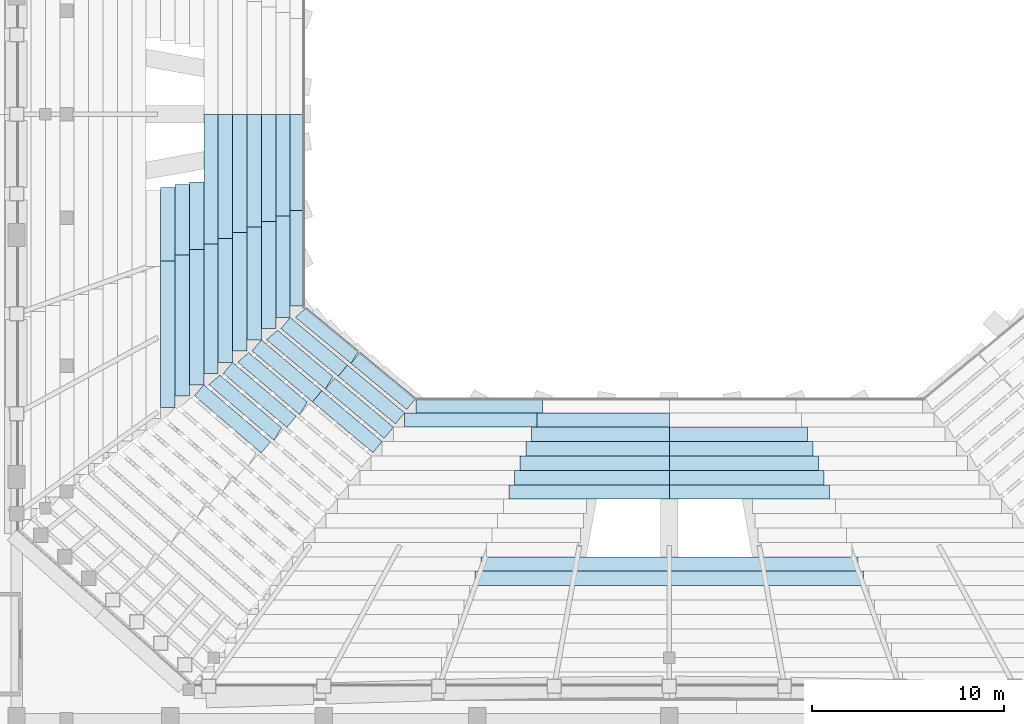
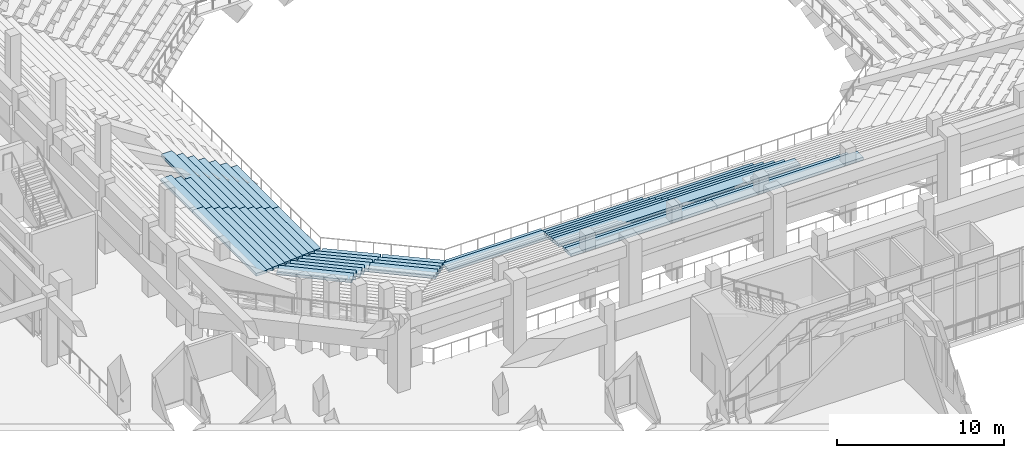
# One storey, part 90 of 159: 49 slabs.
"""IFC4 building model written with IfcOpenShell, lengths in metres."""

from ifc_helpers import new_model, si_unit, derived_unit, direction, frame, origin, place, context, subcontext, project, spatial, polyline, outline, extrude, material, layer, layer_set, type_object, element, save


model = new_model("IFC4")

# Units and contexts
model_context = context("Model", 3, precision=1e-05, world=origin(), true_north=direction((0.0, 1.0)))
body_context = subcontext(model_context, "Body", "Model", "MODEL_VIEW")
ifc_project = project(units=[si_unit("LENGTHUNIT", "METRE"), si_unit("AREAUNIT", "SQUARE_METRE"), si_unit("VOLUMEUNIT", "CUBIC_METRE"), si_unit("PLANEANGLEUNIT", "RADIAN"), si_unit("MASSUNIT", "GRAM", prefix="KILO"), derived_unit("THERMALTRANSMITTANCEUNIT", [(si_unit("MASSUNIT", "GRAM", prefix="KILO"), 1), (si_unit("TIMEUNIT", "SECOND"), -3), (si_unit("THERMODYNAMICTEMPERATUREUNIT", "KELVIN"), -1)])], contexts=[model_context])

# Site, building, storey
site_placement = place(None, origin())
site = spatial("IfcSite", under=ifc_project, at=site_placement, CompositionType="ELEMENT")
building_placement = place(site_placement, origin())
building = spatial("IfcBuilding", under=site, at=building_placement, Name="Valcora Ridge Arena", CompositionType="ELEMENT")
storey_placement = place(building_placement, frame((0.0, 0.0, 6.0)))
storey = spatial("IfcBuildingStorey", under=building, at=storey_placement, Name="L01", CompositionType="ELEMENT", Elevation=6.0)

# Slabs
ifc_material = material(Name="Precast concrete C45/55", Category="concrete")
ifc_layer_1 = layer(ifc_material, 0.199951171875, Name="Precast concrete C45/55")
ifc_layer_set_1 = layer_set([ifc_layer_1], Name="Precast concrete C45/55")
slab_type_1 = type_object("IfcSlabType", Name="TY-SLAB-ST-LOW-L035", PredefinedType="USERDEFINED", material=ifc_layer_set_1)
slab_1_placement = place(storey_placement, frame((0.0, 0.0, -2.52001953125)))
element("IfcSlab", 1, at=slab_1_placement, inside=storey, type_object=slab_type_1, Name="ST-LOW-L035 SLB-TR-0189", ObjectType="SEATING TIER", PredefinedType="USERDEFINED", context=body_context, shape_type="SweptSolid", body=[
    extrude(outline(polyline([(33.75, 60.576416015625), (33.75, 57.052490234375), (33.0, 57.052490234375), (33.0, 60.576416015625), (33.75, 60.576416015625)])), origin(), (0.0, 0.0, 1.0), 0.199951171875),
])
ifc_layer_2 = layer(ifc_material, 0.199951171875, Name="Precast concrete C45/55")
ifc_layer_set_2 = layer_set([ifc_layer_2], Name="Precast concrete C45/55")
slab_type_2 = type_object("IfcSlabType", Name="TY-SLAB-ST-LOW-L037", PredefinedType="USERDEFINED", material=ifc_layer_set_2)
slab_2_placement = place(storey_placement, frame((0.0, 0.0, -2.080078125)))
element("IfcSlab", 2, at=slab_2_placement, inside=storey, type_object=slab_type_2, Name="ST-LOW-L037 SLB-TR-0213", ObjectType="SEATING TIER", PredefinedType="USERDEFINED", context=body_context, shape_type="SweptSolid", body=[
    extrude(outline(polyline([(33.0, 60.429931640625), (33.0, 56.760009765625), (32.25, 56.760009765625), (32.25, 60.429931640625), (33.0, 60.429931640625)])), origin(), (0.0, 0.0, 1.0), 0.2001953125),
])
ifc_layer_3 = layer(ifc_material, 0.199951171875, Name="Precast concrete C45/55")
ifc_layer_set_3 = layer_set([ifc_layer_3], Name="Precast concrete C45/55")
slab_type_3 = type_object("IfcSlabType", Name="TY-SLAB-ST-LOW-L038", PredefinedType="USERDEFINED", material=ifc_layer_set_3)
slab_3_placement = place(storey_placement, frame((0.0, 0.0, -5.60009765625)))
element("IfcSlab", 3, at=slab_3_placement, inside=storey, type_object=slab_type_3, Name="ST-LOW-L038 SLB-TR-0024", ObjectType="SEATING TIER", PredefinedType="USERDEFINED", context=body_context, shape_type="SweptSolid", body=[
    extrude(outline(polyline([(41.89990234375, 51.699951171875), (44.800048828125, 49.300048828125), (44.32177734375, 48.72216796875), (41.421875, 51.122314453125), (41.89990234375, 51.699951171875)])), origin(), (0.0, 0.0, 1.0), 0.2001953125),
])
slab_4_placement = place(storey_placement, frame((0.0, 0.0, -1.639892578125)))
element("IfcSlab", 4, at=slab_4_placement, inside=storey, type_object=slab_type_3, Name="ST-LOW-L038 SLB-TR-0237", ObjectType="SEATING TIER", PredefinedType="USERDEFINED", context=body_context, shape_type="SweptSolid", body=[
    extrude(outline(polyline([(32.25, 60.28369140625), (32.25, 56.467529296875), (31.5, 56.467529296875), (31.5, 60.28369140625), (32.25, 60.28369140625)])), origin(), (0.0, 0.0, 1.0), 0.199951171875),
])
ifc_layer_4 = layer(ifc_material, 0.199951171875, Name="Precast concrete C45/55")
ifc_layer_set_4 = layer_set([ifc_layer_4], Name="Precast concrete C45/55")
slab_type_4 = type_object("IfcSlabType", Name="TY-SLAB-ST-LOW-L039", PredefinedType="USERDEFINED", material=ifc_layer_set_4)
slab_5_placement = place(storey_placement, frame((0.0, 0.0, -5.159912109375)))
element("IfcSlab", 5, at=slab_5_placement, inside=storey, type_object=slab_type_4, Name="ST-LOW-L039 SLB-TR-0047", ObjectType="SEATING TIER", PredefinedType="USERDEFINED", context=body_context, shape_type="SweptSolid", body=[
    extrude(outline(polyline([(38.25, 53.514892578125), (41.232421875, 51.032470703125), (40.752685546875, 50.4560546875), (37.770263671875, 52.938720703125), (38.25, 53.514892578125)])), origin(), (0.0, 0.0, 1.0), 0.199951171875),
])
slab_6_placement = place(storey_placement, frame((0.0, 0.0, -5.159912109375)))
element("IfcSlab", 6, at=slab_6_placement, inside=storey, type_object=slab_type_4, Name="ST-LOW-L039 SLB-TR-0048", ObjectType="SEATING TIER", PredefinedType="USERDEFINED", context=body_context, shape_type="SweptSolid", body=[
    extrude(outline(polyline([(41.232421875, 51.032470703125), (44.215087890625, 48.550048828125), (43.735107421875, 47.9736328125), (40.752685546875, 50.4560546875), (41.232421875, 51.032470703125)])), origin(), (0.0, 0.0, 1.0), 0.199951171875),
])
ifc_layer_5 = layer(ifc_material, 0.199951171875, Name="Precast concrete C45/55")
ifc_layer_set_5 = layer_set([ifc_layer_5], Name="Precast concrete C45/55")
slab_type_5 = type_object("IfcSlabType", Name="TY-SLAB-ST-LOW-L040", PredefinedType="USERDEFINED", material=ifc_layer_set_5)
slab_7_placement = place(storey_placement, frame((0.0, 0.0, -4.719970703125)))
element("IfcSlab", 7, at=slab_7_placement, inside=storey, type_object=slab_type_5, Name="ST-LOW-L040 SLB-TR-0072", ObjectType="SEATING TIER", PredefinedType="USERDEFINED", context=body_context, shape_type="SweptSolid", body=[
    extrude(outline(polyline([(40.56494140625, 50.364990234375), (43.6298828125, 47.800048828125), (43.148681640625, 47.224853515625), (40.083740234375, 49.789794921875), (40.56494140625, 50.364990234375)])), origin(), (0.0, 0.0, 1.0), 0.199951171875),
])
ifc_layer_6 = layer(ifc_material, 0.199951171875, Name="Precast concrete C45/55")
ifc_layer_set_6 = layer_set([ifc_layer_6], Name="Precast concrete C45/55")
slab_type_6 = type_object("IfcSlabType", Name="TY-SLAB-ST-LOW-L041", PredefinedType="USERDEFINED", material=ifc_layer_set_6)
slab_8_placement = place(storey_placement, frame((0.0, 0.0, -4.280029296875)))
element("IfcSlab", 8, at=slab_8_placement, inside=storey, type_object=slab_type_6, Name="ST-LOW-L041 SLB-TR-0095", ObjectType="SEATING TIER", PredefinedType="USERDEFINED", context=body_context, shape_type="SweptSolid", body=[
    extrude(outline(polyline([(36.75, 52.344970703125), (39.8974609375, 49.697509765625), (39.414794921875, 49.12353515625), (36.26708984375, 51.77099609375), (36.75, 52.344970703125)])), origin(), (0.0, 0.0, 1.0), 0.199951171875),
])
slab_9_placement = place(storey_placement, frame((0.0, 0.0, -4.280029296875)))
element("IfcSlab", 9, at=slab_9_placement, inside=storey, type_object=slab_type_6, Name="ST-LOW-L041 SLB-TR-0096", ObjectType="SEATING TIER", PredefinedType="USERDEFINED", context=body_context, shape_type="SweptSolid", body=[
    extrude(outline(polyline([(39.8974609375, 49.697509765625), (43.044921875, 47.050048828125), (42.562255859375, 46.47607421875), (39.414794921875, 49.12353515625), (39.8974609375, 49.697509765625)])), origin(), (0.0, 0.0, 1.0), 0.199951171875),
])
ifc_layer_7 = layer(ifc_material, 0.199951171875, Name="Precast concrete C45/55")
ifc_layer_set_7 = layer_set([ifc_layer_7], Name="Precast concrete C45/55")
slab_type_7 = type_object("IfcSlabType", Name="TY-SLAB-ST-LOW-L043", PredefinedType="USERDEFINED", material=ifc_layer_set_7)
slab_10_placement = place(storey_placement, frame((0.0, 0.0, -3.39990234375)))
element("IfcSlab", 10, at=slab_10_placement, inside=storey, type_object=slab_type_7, Name="ST-LOW-L043 SLB-TR-0143", ObjectType="SEATING TIER", PredefinedType="USERDEFINED", context=body_context, shape_type="SweptSolid", body=[
    extrude(outline(polyline([(35.25, 51.175048828125), (38.5625, 48.362548828125), (38.0771484375, 47.790771484375), (34.7646484375, 50.603271484375), (35.25, 51.175048828125)])), origin(), (0.0, 0.0, 1.0), 0.199951171875),
])
ifc_layer_8 = layer(ifc_material, 0.199951171875, Name="Precast concrete C45/55")
ifc_layer_set_8 = layer_set([ifc_layer_8], Name="Precast concrete C45/55")
slab_type_8 = type_object("IfcSlabType", Name="TY-SLAB-ST-LOW-L046", PredefinedType="USERDEFINED", material=ifc_layer_set_8)
slab_11_placement = place(storey_placement, frame((0.0, 0.0, -2.52001953125)))
element("IfcSlab", 11, at=slab_11_placement, inside=storey, type_object=slab_type_8, Name="ST-LOW-L046 SLB-TR-0191", ObjectType="SEATING TIER", PredefinedType="USERDEFINED", context=body_context, shape_type="SweptSolid", body=[
    extrude(outline(polyline([(33.75, 50.0048828125), (37.2275390625, 47.027587890625), (36.73974609375, 46.457763671875), (33.26220703125, 49.435302734375), (33.75, 50.0048828125)])), origin(), (0.0, 0.0, 1.0), 0.199951171875),
])
ifc_layer_9 = layer(ifc_material, 0.199951171875, Name="Precast concrete C45/55")
ifc_layer_set_9 = layer_set([ifc_layer_9], Name="Precast concrete C45/55")
slab_type_9 = type_object("IfcSlabType", Name="TY-SLAB-ST-LOW-L050", PredefinedType="USERDEFINED", material=ifc_layer_set_9)
slab_12_placement = place(storey_placement, frame((0.0, 0.0, -5.60009765625)))
element("IfcSlab", 12, at=slab_12_placement, inside=storey, type_object=slab_type_9, Name="ST-LOW-L050 SLB-TR-0021", ObjectType="SEATING TIER", PredefinedType="USERDEFINED", context=body_context, shape_type="SweptSolid", body=[
    extrude(outline(polyline([(39.0, 64.10009765625), (39.0, 59.10009765625), (38.25, 59.10009765625), (38.25, 64.10009765625), (39.0, 64.10009765625)])), origin(), (0.0, 0.0, 1.0), 0.2001953125),
])
slab_13_placement = place(storey_placement, frame((0.0, 0.0, -5.60009765625)))
element("IfcSlab", 13, at=slab_13_placement, inside=storey, type_object=slab_type_9, Name="ST-LOW-L050 SLB-TR-0022", ObjectType="SEATING TIER", PredefinedType="USERDEFINED", context=body_context, shape_type="SweptSolid", body=[
    extrude(outline(polyline([(39.0, 59.10009765625), (39.0, 54.10009765625), (38.25, 54.10009765625), (38.25, 59.10009765625), (39.0, 59.10009765625)])), origin(), (0.0, 0.0, 1.0), 0.2001953125),
])
ifc_layer_10 = layer(ifc_material, 0.199951171875, Name="Precast concrete C45/55")
ifc_layer_set_10 = layer_set([ifc_layer_10], Name="Precast concrete C45/55")
slab_type_10 = type_object("IfcSlabType", Name="TY-SLAB-ST-LOW-L053", PredefinedType="USERDEFINED", material=ifc_layer_set_10)
slab_14_placement = place(storey_placement, frame((0.0, 0.0, -5.159912109375)))
element("IfcSlab", 14, at=slab_14_placement, inside=storey, type_object=slab_type_10, Name="ST-LOW-L053 SLB-TR-0045", ObjectType="SEATING TIER", PredefinedType="USERDEFINED", context=body_context, shape_type="SweptSolid", body=[
    extrude(outline(polyline([(38.25, 64.10009765625), (38.25, 58.8076171875), (37.5, 58.8076171875), (37.5, 64.10009765625), (38.25, 64.10009765625)])), origin(), (0.0, 0.0, 1.0), 0.199951171875),
])
slab_15_placement = place(storey_placement, frame((0.0, 0.0, -5.159912109375)))
element("IfcSlab", 15, at=slab_15_placement, inside=storey, type_object=slab_type_10, Name="ST-LOW-L053 SLB-TR-0046", ObjectType="SEATING TIER", PredefinedType="USERDEFINED", context=body_context, shape_type="SweptSolid", body=[
    extrude(outline(polyline([(38.25, 58.8076171875), (38.25, 53.514892578125), (37.5, 53.514892578125), (37.5, 58.8076171875), (38.25, 58.8076171875)])), origin(), (0.0, 0.0, 1.0), 0.199951171875),
])
ifc_layer_11 = layer(ifc_material, 0.199951171875, Name="Precast concrete C45/55")
ifc_layer_set_11 = layer_set([ifc_layer_11], Name="Precast concrete C45/55")
slab_type_11 = type_object("IfcSlabType", Name="TY-SLAB-ST-LOW-L056", PredefinedType="USERDEFINED", material=ifc_layer_set_11)
slab_16_placement = place(storey_placement, frame((0.0, 0.0, -4.719970703125)))
element("IfcSlab", 16, at=slab_16_placement, inside=storey, type_object=slab_type_11, Name="ST-LOW-L056 SLB-TR-0069", ObjectType="SEATING TIER", PredefinedType="USERDEFINED", context=body_context, shape_type="SweptSolid", body=[
    extrude(outline(polyline([(37.5, 64.10009765625), (37.5, 58.514892578125), (36.75, 58.514892578125), (36.75, 64.10009765625), (37.5, 64.10009765625)])), origin(), (0.0, 0.0, 1.0), 0.199951171875),
])
slab_17_placement = place(storey_placement, frame((0.0, 0.0, -4.719970703125)))
element("IfcSlab", 17, at=slab_17_placement, inside=storey, type_object=slab_type_11, Name="ST-LOW-L056 SLB-TR-0070", ObjectType="SEATING TIER", PredefinedType="USERDEFINED", context=body_context, shape_type="SweptSolid", body=[
    extrude(outline(polyline([(37.5, 58.514892578125), (37.5, 52.929931640625), (36.75, 52.929931640625), (36.75, 58.514892578125), (37.5, 58.514892578125)])), origin(), (0.0, 0.0, 1.0), 0.199951171875),
])
ifc_layer_12 = layer(ifc_material, 0.199951171875, Name="Precast concrete C45/55")
ifc_layer_set_12 = layer_set([ifc_layer_12], Name="Precast concrete C45/55")
slab_type_12 = type_object("IfcSlabType", Name="TY-SLAB-ST-LOW-L059", PredefinedType="USERDEFINED", material=ifc_layer_set_12)
slab_18_placement = place(storey_placement, frame((0.0, 0.0, -4.280029296875)))
element("IfcSlab", 18, at=slab_18_placement, inside=storey, type_object=slab_type_12, Name="ST-LOW-L059 SLB-TR-0093", ObjectType="SEATING TIER", PredefinedType="USERDEFINED", context=body_context, shape_type="SweptSolid", body=[
    extrude(outline(polyline([(36.75, 64.10009765625), (36.75, 58.222412109375), (36.0, 58.222412109375), (36.0, 64.10009765625), (36.75, 64.10009765625)])), origin(), (0.0, 0.0, 1.0), 0.199951171875),
])
slab_19_placement = place(storey_placement, frame((0.0, 0.0, -4.280029296875)))
element("IfcSlab", 19, at=slab_19_placement, inside=storey, type_object=slab_type_12, Name="ST-LOW-L059 SLB-TR-0094", ObjectType="SEATING TIER", PredefinedType="USERDEFINED", context=body_context, shape_type="SweptSolid", body=[
    extrude(outline(polyline([(36.75, 58.222412109375), (36.75, 52.344970703125), (36.0, 52.344970703125), (36.0, 58.222412109375), (36.75, 58.222412109375)])), origin(), (0.0, 0.0, 1.0), 0.199951171875),
])
ifc_layer_13 = layer(ifc_material, 0.199951171875, Name="Precast concrete C45/55")
ifc_layer_set_13 = layer_set([ifc_layer_13], Name="Precast concrete C45/55")
slab_type_13 = type_object("IfcSlabType", Name="TY-SLAB-ST-LOW-L062", PredefinedType="USERDEFINED", material=ifc_layer_set_13)
slab_20_placement = place(storey_placement, frame((0.0, 0.0, -3.840087890625)))
element("IfcSlab", 20, at=slab_20_placement, inside=storey, type_object=slab_type_13, Name="ST-LOW-L062 SLB-TR-0117", ObjectType="SEATING TIER", PredefinedType="USERDEFINED", context=body_context, shape_type="SweptSolid", body=[
    extrude(outline(polyline([(36.0, 64.10009765625), (36.0, 57.929931640625), (35.25, 57.929931640625), (35.25, 64.10009765625), (36.0, 64.10009765625)])), origin(), (0.0, 0.0, 1.0), 0.2001953125),
])
slab_21_placement = place(storey_placement, frame((0.0, 0.0, -3.840087890625)))
element("IfcSlab", 21, at=slab_21_placement, inside=storey, type_object=slab_type_13, Name="ST-LOW-L062 SLB-TR-0118", ObjectType="SEATING TIER", PredefinedType="USERDEFINED", context=body_context, shape_type="SweptSolid", body=[
    extrude(outline(polyline([(36.0, 57.929931640625), (36.0, 51.760009765625), (35.25, 51.760009765625), (35.25, 57.929931640625), (36.0, 57.929931640625)])), origin(), (0.0, 0.0, 1.0), 0.2001953125),
])
ifc_layer_14 = layer(ifc_material, 0.199951171875, Name="Precast concrete C45/55")
ifc_layer_set_14 = layer_set([ifc_layer_14], Name="Precast concrete C45/55")
slab_type_14 = type_object("IfcSlabType", Name="TY-SLAB-ST-LOW-L065", PredefinedType="USERDEFINED", material=ifc_layer_set_14)
slab_22_placement = place(storey_placement, frame((0.0, 0.0, -3.39990234375)))
element("IfcSlab", 22, at=slab_22_placement, inside=storey, type_object=slab_type_14, Name="ST-LOW-L065 SLB-TR-0141", ObjectType="SEATING TIER", PredefinedType="USERDEFINED", context=body_context, shape_type="SweptSolid", body=[
    extrude(outline(polyline([(35.25, 64.10009765625), (35.25, 57.637451171875), (34.5, 57.637451171875), (34.5, 64.10009765625), (35.25, 64.10009765625)])), origin(), (0.0, 0.0, 1.0), 0.199951171875),
])
slab_23_placement = place(storey_placement, frame((0.0, 0.0, -3.39990234375)))
element("IfcSlab", 23, at=slab_23_placement, inside=storey, type_object=slab_type_14, Name="ST-LOW-L065 SLB-TR-0142", ObjectType="SEATING TIER", PredefinedType="USERDEFINED", context=body_context, shape_type="SweptSolid", body=[
    extrude(outline(polyline([(35.25, 57.637451171875), (35.25, 51.175048828125), (34.5, 51.175048828125), (34.5, 57.637451171875), (35.25, 57.637451171875)])), origin(), (0.0, 0.0, 1.0), 0.199951171875),
])
ifc_layer_15 = layer(ifc_material, 0.199951171875, Name="Precast concrete C45/55")
ifc_layer_set_15 = layer_set([ifc_layer_15], Name="Precast concrete C45/55")
slab_type_15 = type_object("IfcSlabType", Name="TY-SLAB-ST-LOW-L066", PredefinedType="USERDEFINED", material=ifc_layer_set_15)
slab_24_placement = place(storey_placement, frame((0.0, 0.0, -5.60009765625)))
element("IfcSlab", 24, at=slab_24_placement, inside=storey, type_object=slab_type_15, Name="ST-LOW-L066 SLB-TR-0001", ObjectType="SEATING TIER", PredefinedType="USERDEFINED", context=body_context, shape_type="SweptSolid", body=[
    extrude(outline(polyline([(44.800048828125, 49.300048828125), (51.39990234375, 49.300048828125), (51.39990234375, 48.550048828125), (44.800048828125, 48.550048828125), (44.800048828125, 49.300048828125)])), origin(), (0.0, 0.0, 1.0), 0.2001953125),
])
ifc_layer_16 = layer(ifc_material, 0.199951171875, Name="Precast concrete C45/55")
ifc_layer_set_16 = layer_set([ifc_layer_16], Name="Precast concrete C45/55")
slab_type_16 = type_object("IfcSlabType", Name="TY-SLAB-ST-LOW-L068", PredefinedType="USERDEFINED", material=ifc_layer_set_16)
slab_25_placement = place(storey_placement, frame((0.0, 0.0, -2.9599609375)))
element("IfcSlab", 25, at=slab_25_placement, inside=storey, type_object=slab_type_16, Name="ST-LOW-L068 SLB-TR-0165", ObjectType="SEATING TIER", PredefinedType="USERDEFINED", context=body_context, shape_type="SweptSolid", body=[
    extrude(outline(polyline([(34.5, 64.10009765625), (34.5, 57.344970703125), (33.75, 57.344970703125), (33.75, 64.10009765625), (34.5, 64.10009765625)])), origin(), (0.0, 0.0, 1.0), 0.199951171875),
])
slab_26_placement = place(storey_placement, frame((0.0, 0.0, -2.9599609375)))
element("IfcSlab", 26, at=slab_26_placement, inside=storey, type_object=slab_type_16, Name="ST-LOW-L068 SLB-TR-0166", ObjectType="SEATING TIER", PredefinedType="USERDEFINED", context=body_context, shape_type="SweptSolid", body=[
    extrude(outline(polyline([(34.5, 57.344970703125), (34.5, 50.590087890625), (33.75, 50.590087890625), (33.75, 57.344970703125), (34.5, 57.344970703125)])), origin(), (0.0, 0.0, 1.0), 0.199951171875),
])
ifc_layer_17 = layer(ifc_material, 0.199951171875, Name="Precast concrete C45/55")
ifc_layer_set_17 = layer_set([ifc_layer_17], Name="Precast concrete C45/55")
slab_type_17 = type_object("IfcSlabType", Name="TY-SLAB-ST-LOW-L069", PredefinedType="USERDEFINED", material=ifc_layer_set_17)
slab_27_placement = place(storey_placement, frame((0.0, 0.0, -5.159912109375)))
element("IfcSlab", 27, at=slab_27_placement, inside=storey, type_object=slab_type_17, Name="ST-LOW-L069 SLB-TR-0025", ObjectType="SEATING TIER", PredefinedType="USERDEFINED", context=body_context, shape_type="SweptSolid", body=[
    extrude(outline(polyline([(44.215087890625, 48.550048828125), (51.107421875, 48.550048828125), (51.107421875, 47.800048828125), (44.215087890625, 47.800048828125), (44.215087890625, 48.550048828125)])), origin(), (0.0, 0.0, 1.0), 0.199951171875),
])
slab_28_placement = place(storey_placement, frame((0.0, 0.0, -5.159912109375)))
element("IfcSlab", 28, at=slab_28_placement, inside=storey, type_object=slab_type_17, Name="ST-LOW-L069 SLB-TR-0026", ObjectType="SEATING TIER", PredefinedType="USERDEFINED", context=body_context, shape_type="SweptSolid", body=[
    extrude(outline(polyline([(51.107421875, 48.550048828125), (58.0, 48.550048828125), (58.0, 47.800048828125), (51.107421875, 47.800048828125), (51.107421875, 48.550048828125)])), origin(), (0.0, 0.0, 1.0), 0.199951171875),
])
ifc_layer_18 = layer(ifc_material, 0.199951171875, Name="Precast concrete C45/55")
ifc_layer_set_18 = layer_set([ifc_layer_18], Name="Precast concrete C45/55")
slab_type_18 = type_object("IfcSlabType", Name="TY-SLAB-ST-LOW-L070", PredefinedType="USERDEFINED", material=ifc_layer_set_18)
slab_29_placement = place(storey_placement, frame((0.0, 0.0, -2.52001953125)))
element("IfcSlab", 29, at=slab_29_placement, inside=storey, type_object=slab_type_18, Name="ST-LOW-L070 SLB-TR-0190", ObjectType="SEATING TIER", PredefinedType="USERDEFINED", context=body_context, shape_type="SweptSolid", body=[
    extrude(outline(polyline([(33.75, 57.052490234375), (33.75, 50.0048828125), (33.0, 50.0048828125), (33.0, 57.052490234375), (33.75, 57.052490234375)])), origin(), (0.0, 0.0, 1.0), 0.199951171875),
])
ifc_layer_19 = layer(ifc_material, 0.199951171875, Name="Precast concrete C45/55")
ifc_layer_set_19 = layer_set([ifc_layer_19], Name="Precast concrete C45/55")
slab_type_19 = type_object("IfcSlabType", Name="TY-SLAB-ST-LOW-L072", PredefinedType="USERDEFINED", material=ifc_layer_set_19)
slab_30_placement = place(storey_placement, frame((0.0, 0.0, -4.719970703125)))
element("IfcSlab", 30, at=slab_30_placement, inside=storey, type_object=slab_type_19, Name="ST-LOW-L072 SLB-TR-0050", ObjectType="SEATING TIER", PredefinedType="USERDEFINED", context=body_context, shape_type="SweptSolid", body=[
    extrude(outline(polyline([(50.81494140625, 47.800048828125), (58.0, 47.800048828125), (58.0, 47.050048828125), (50.81494140625, 47.050048828125), (50.81494140625, 47.800048828125)])), origin(), (0.0, 0.0, 1.0), 0.199951171875),
])
slab_31_placement = place(storey_placement, frame((0.0, 0.0, -4.719970703125)))
element("IfcSlab", 31, at=slab_31_placement, inside=storey, type_object=slab_type_19, Name="ST-LOW-L072 SLB-TR-0051", ObjectType="SEATING TIER", PredefinedType="USERDEFINED", context=body_context, shape_type="SweptSolid", body=[
    extrude(outline(polyline([(58.0, 47.800048828125), (65.18505859375, 47.800048828125), (65.18505859375, 47.050048828125), (58.0, 47.050048828125), (58.0, 47.800048828125)])), origin(), (0.0, 0.0, 1.0), 0.199951171875),
])
ifc_layer_20 = layer(ifc_material, 0.199951171875, Name="Precast concrete C45/55")
ifc_layer_set_20 = layer_set([ifc_layer_20], Name="Precast concrete C45/55")
slab_type_20 = type_object("IfcSlabType", Name="TY-SLAB-ST-LOW-L073", PredefinedType="USERDEFINED", material=ifc_layer_set_20)
slab_32_placement = place(storey_placement, frame((0.0, 0.0, -2.080078125)))
element("IfcSlab", 32, at=slab_32_placement, inside=storey, type_object=slab_type_20, Name="ST-LOW-L073 SLB-TR-0214", ObjectType="SEATING TIER", PredefinedType="USERDEFINED", context=body_context, shape_type="SweptSolid", body=[
    extrude(outline(polyline([(33.0, 56.760009765625), (33.0, 49.419921875), (32.25, 49.419921875), (32.25, 56.760009765625), (33.0, 56.760009765625)])), origin(), (0.0, 0.0, 1.0), 0.2001953125),
])
ifc_layer_21 = layer(ifc_material, 0.199951171875, Name="Precast concrete C45/55")
ifc_layer_set_21 = layer_set([ifc_layer_21], Name="Precast concrete C45/55")
slab_type_21 = type_object("IfcSlabType", Name="TY-SLAB-ST-LOW-L075", PredefinedType="USERDEFINED", material=ifc_layer_set_21)
slab_33_placement = place(storey_placement, frame((0.0, 0.0, -4.280029296875)))
element("IfcSlab", 33, at=slab_33_placement, inside=storey, type_object=slab_type_21, Name="ST-LOW-L075 SLB-TR-0074", ObjectType="SEATING TIER", PredefinedType="USERDEFINED", context=body_context, shape_type="SweptSolid", body=[
    extrude(outline(polyline([(50.5224609375, 47.050048828125), (58.0, 47.050048828125), (58.0, 46.300048828125), (50.5224609375, 46.300048828125), (50.5224609375, 47.050048828125)])), origin(), (0.0, 0.0, 1.0), 0.199951171875),
])
slab_34_placement = place(storey_placement, frame((0.0, 0.0, -4.280029296875)))
element("IfcSlab", 34, at=slab_34_placement, inside=storey, type_object=slab_type_21, Name="ST-LOW-L075 SLB-TR-0075", ObjectType="SEATING TIER", PredefinedType="USERDEFINED", context=body_context, shape_type="SweptSolid", body=[
    extrude(outline(polyline([(58.0, 47.050048828125), (65.4775390625, 47.050048828125), (65.4775390625, 46.300048828125), (58.0, 46.300048828125), (58.0, 47.050048828125)])), origin(), (0.0, 0.0, 1.0), 0.199951171875),
])
ifc_layer_22 = layer(ifc_material, 0.199951171875, Name="Precast concrete C45/55")
ifc_layer_set_22 = layer_set([ifc_layer_22], Name="Precast concrete C45/55")
slab_type_22 = type_object("IfcSlabType", Name="TY-SLAB-ST-LOW-L076", PredefinedType="USERDEFINED", material=ifc_layer_set_22)
slab_35_placement = place(storey_placement, frame((0.0, 0.0, -1.639892578125)))
element("IfcSlab", 35, at=slab_35_placement, inside=storey, type_object=slab_type_22, Name="ST-LOW-L076 SLB-TR-0238", ObjectType="SEATING TIER", PredefinedType="USERDEFINED", context=body_context, shape_type="SweptSolid", body=[
    extrude(outline(polyline([(32.25, 56.467529296875), (32.25, 48.8349609375), (31.5, 48.8349609375), (31.5, 56.467529296875), (32.25, 56.467529296875)])), origin(), (0.0, 0.0, 1.0), 0.199951171875),
])
ifc_layer_23 = layer(ifc_material, 0.199951171875, Name="Precast concrete C45/55")
ifc_layer_set_23 = layer_set([ifc_layer_23], Name="Precast concrete C45/55")
slab_type_23 = type_object("IfcSlabType", Name="TY-SLAB-ST-LOW-L078", PredefinedType="USERDEFINED", material=ifc_layer_set_23)
slab_36_placement = place(storey_placement, frame((0.0, 0.0, -3.840087890625)))
element("IfcSlab", 36, at=slab_36_placement, inside=storey, type_object=slab_type_23, Name="ST-LOW-L078 SLB-TR-0098", ObjectType="SEATING TIER", PredefinedType="USERDEFINED", context=body_context, shape_type="SweptSolid", body=[
    extrude(outline(polyline([(50.22998046875, 46.300048828125), (58.0, 46.300048828125), (58.0, 45.550048828125), (50.22998046875, 45.550048828125), (50.22998046875, 46.300048828125)])), origin(), (0.0, 0.0, 1.0), 0.2001953125),
])
slab_37_placement = place(storey_placement, frame((0.0, 0.0, -3.840087890625)))
element("IfcSlab", 37, at=slab_37_placement, inside=storey, type_object=slab_type_23, Name="ST-LOW-L078 SLB-TR-0099", ObjectType="SEATING TIER", PredefinedType="USERDEFINED", context=body_context, shape_type="SweptSolid", body=[
    extrude(outline(polyline([(58.0, 46.300048828125), (65.77001953125, 46.300048828125), (65.77001953125, 45.550048828125), (58.0, 45.550048828125), (58.0, 46.300048828125)])), origin(), (0.0, 0.0, 1.0), 0.2001953125),
])
ifc_layer_24 = layer(ifc_material, 0.199951171875, Name="Precast concrete C45/55")
ifc_layer_set_24 = layer_set([ifc_layer_24], Name="Precast concrete C45/55")
slab_type_24 = type_object("IfcSlabType", Name="TY-SLAB-ST-LOW-L081", PredefinedType="USERDEFINED", material=ifc_layer_set_24)
slab_38_placement = place(storey_placement, frame((0.0, 0.0, -3.39990234375)))
element("IfcSlab", 38, at=slab_38_placement, inside=storey, type_object=slab_type_24, Name="ST-LOW-L081 SLB-TR-0122", ObjectType="SEATING TIER", PredefinedType="USERDEFINED", context=body_context, shape_type="SweptSolid", body=[
    extrude(outline(polyline([(49.9375, 45.550048828125), (58.0, 45.550048828125), (58.0, 44.800048828125), (49.9375, 44.800048828125), (49.9375, 45.550048828125)])), origin(), (0.0, 0.0, 1.0), 0.199951171875),
])
slab_39_placement = place(storey_placement, frame((0.0, 0.0, -3.39990234375)))
element("IfcSlab", 39, at=slab_39_placement, inside=storey, type_object=slab_type_24, Name="ST-LOW-L081 SLB-TR-0123", ObjectType="SEATING TIER", PredefinedType="USERDEFINED", context=body_context, shape_type="SweptSolid", body=[
    extrude(outline(polyline([(58.0, 45.550048828125), (66.0625, 45.550048828125), (66.0625, 44.800048828125), (58.0, 44.800048828125), (58.0, 45.550048828125)])), origin(), (0.0, 0.0, 1.0), 0.199951171875),
])
ifc_layer_25 = layer(ifc_material, 0.199951171875, Name="Precast concrete C45/55")
ifc_layer_set_25 = layer_set([ifc_layer_25], Name="Precast concrete C45/55")
slab_type_25 = type_object("IfcSlabType", Name="TY-SLAB-ST-LOW-L084", PredefinedType="USERDEFINED", material=ifc_layer_set_25)
slab_40_placement = place(storey_placement, frame((0.0, 0.0, -2.9599609375)))
element("IfcSlab", 40, at=slab_40_placement, inside=storey, type_object=slab_type_25, Name="ST-LOW-L084 SLB-TR-0146", ObjectType="SEATING TIER", PredefinedType="USERDEFINED", context=body_context, shape_type="SweptSolid", body=[
    extrude(outline(polyline([(49.64501953125, 44.800048828125), (58.0, 44.800048828125), (58.0, 44.050048828125), (49.64501953125, 44.050048828125), (49.64501953125, 44.800048828125)])), origin(), (0.0, 0.0, 1.0), 0.199951171875),
])
slab_41_placement = place(storey_placement, frame((0.0, 0.0, -2.9599609375)))
element("IfcSlab", 41, at=slab_41_placement, inside=storey, type_object=slab_type_25, Name="ST-LOW-L084 SLB-TR-0147", ObjectType="SEATING TIER", PredefinedType="USERDEFINED", context=body_context, shape_type="SweptSolid", body=[
    extrude(outline(polyline([(58.0, 44.800048828125), (66.35498046875, 44.800048828125), (66.35498046875, 44.050048828125), (58.0, 44.050048828125), (58.0, 44.800048828125)])), origin(), (0.0, 0.0, 1.0), 0.199951171875),
])
ifc_layer_26 = layer(ifc_material, 0.199951171875, Name="Precast concrete C45/55")
ifc_layer_set_26 = layer_set([ifc_layer_26], Name="Precast concrete C45/55")
slab_type_26 = type_object("IfcSlabType", Name="TY-SLAB-ST-LOW-L098", PredefinedType="USERDEFINED", material=ifc_layer_set_26)
slab_42_placement = place(storey_placement, frame((0.0, 0.0, -0.760009765625)))
element("IfcSlab", 42, at=slab_42_placement, inside=storey, type_object=slab_type_26, Name="ST-LOW-L098 SLB-TR-0266", ObjectType="SEATING TIER", PredefinedType="USERDEFINED", context=body_context, shape_type="SweptSolid", body=[
    extrude(outline(polyline([(48.1826171875, 41.050048828125), (58.0, 41.050048828125), (58.0, 40.300048828125), (48.1826171875, 40.300048828125), (48.1826171875, 41.050048828125)])), origin(), (0.0, 0.0, 1.0), 0.199951171875),
])
slab_43_placement = place(storey_placement, frame((0.0, 0.0, -0.760009765625)))
element("IfcSlab", 43, at=slab_43_placement, inside=storey, type_object=slab_type_26, Name="ST-LOW-L098 SLB-TR-0267", ObjectType="SEATING TIER", PredefinedType="USERDEFINED", context=body_context, shape_type="SweptSolid", body=[
    extrude(outline(polyline([(58.0, 41.050048828125), (67.8173828125, 41.050048828125), (67.8173828125, 40.300048828125), (58.0, 40.300048828125), (58.0, 41.050048828125)])), origin(), (0.0, 0.0, 1.0), 0.199951171875),
])
ifc_layer_27 = layer(ifc_material, 0.199951171875, Name="Precast concrete C45/55")
ifc_layer_set_27 = layer_set([ifc_layer_27], Name="Precast concrete C45/55")
slab_type_27 = type_object("IfcSlabType", Name="TY-SLAB-ST-LOW-L101", PredefinedType="USERDEFINED", material=ifc_layer_set_27)
slab_44_placement = place(storey_placement, frame((0.0, 0.0, -0.320068359375)))
element("IfcSlab", 44, at=slab_44_placement, inside=storey, type_object=slab_type_27, Name="ST-LOW-L101 SLB-TR-0290", ObjectType="SEATING TIER", PredefinedType="USERDEFINED", context=body_context, shape_type="SweptSolid", body=[
    extrude(outline(polyline([(47.889892578125, 40.300048828125), (58.0, 40.300048828125), (58.0, 39.550048828125), (47.889892578125, 39.550048828125), (47.889892578125, 40.300048828125)])), origin(), (0.0, 0.0, 1.0), 0.199951171875),
])
slab_45_placement = place(storey_placement, frame((0.0, 0.0, -0.320068359375)))
element("IfcSlab", 45, at=slab_45_placement, inside=storey, type_object=slab_type_27, Name="ST-LOW-L101 SLB-TR-0291", ObjectType="SEATING TIER", PredefinedType="USERDEFINED", context=body_context, shape_type="SweptSolid", body=[
    extrude(outline(polyline([(58.0, 40.300048828125), (68.110107421875, 40.300048828125), (68.110107421875, 39.550048828125), (58.0, 39.550048828125), (58.0, 40.300048828125)])), origin(), (0.0, 0.0, 1.0), 0.199951171875),
])
ifc_layer_28 = layer(ifc_material, 0.199951171875, Name="Precast concrete C45/55")
ifc_layer_set_28 = layer_set([ifc_layer_28], Name="Precast concrete C45/55")
slab_type_28 = type_object("IfcSlabType", Name="TY-SLAB-ST-LOW-M038", PredefinedType="USERDEFINED", material=ifc_layer_set_28)
slab_46_placement = place(storey_placement, frame((0.0, 0.0, -5.60009765625)))
element("IfcSlab", 46, at=slab_46_placement, inside=storey, type_object=slab_type_28, Name="ST-LOW-M038 SLB-TR-0023", ObjectType="SEATING TIER", PredefinedType="USERDEFINED", context=body_context, shape_type="SweptSolid", body=[
    extrude(outline(polyline([(39.09228515625, 54.0234375), (41.8076171875, 51.776611328125), (41.421875, 51.122314453125), (38.521728515625, 53.522216796875), (39.09228515625, 54.0234375)])), origin(), (0.0, 0.0, 1.0), 0.2001953125),
])
ifc_layer_29 = layer(ifc_material, 0.199951171875, Name="Precast concrete C45/55")
ifc_layer_set_29 = layer_set([ifc_layer_29], Name="Precast concrete C45/55")
slab_type_29 = type_object("IfcSlabType", Name="TY-SLAB-ST-LOW-M040", PredefinedType="USERDEFINED", material=ifc_layer_set_29)
slab_47_placement = place(storey_placement, frame((0.0, 0.0, -4.719970703125)))
element("IfcSlab", 47, at=slab_47_placement, inside=storey, type_object=slab_type_29, Name="ST-LOW-M040 SLB-TR-0071", ObjectType="SEATING TIER", PredefinedType="USERDEFINED", context=body_context, shape_type="SweptSolid", body=[
    extrude(outline(polyline([(37.592041015625, 52.85302734375), (40.472900390625, 50.44189453125), (40.083740234375, 49.789794921875), (37.018798828125, 52.354736328125), (37.592041015625, 52.85302734375)])), origin(), (0.0, 0.0, 1.0), 0.199951171875),
])
ifc_layer_30 = layer(ifc_material, 0.199951171875, Name="Precast concrete C45/55")
ifc_layer_set_30 = layer_set([ifc_layer_30], Name="Precast concrete C45/55")
slab_type_30 = type_object("IfcSlabType", Name="TY-SLAB-ST-LOW-M042", PredefinedType="USERDEFINED", material=ifc_layer_set_30)
slab_48_placement = place(storey_placement, frame((0.0, 0.0, -3.840087890625)))
element("IfcSlab", 48, at=slab_48_placement, inside=storey, type_object=slab_type_30, Name="ST-LOW-M042 SLB-TR-0119", ObjectType="SEATING TIER", PredefinedType="USERDEFINED", context=body_context, shape_type="SweptSolid", body=[
    extrude(outline(polyline([(36.091552734375, 51.6826171875), (39.138427734375, 49.107421875), (38.745849609375, 48.457275390625), (35.515869140625, 51.187255859375), (36.091552734375, 51.6826171875)])), origin(), (0.0, 0.0, 1.0), 0.2001953125),
])
ifc_layer_31 = layer(ifc_material, 0.199951171875, Name="Precast concrete C45/55")
ifc_layer_set_31 = layer_set([ifc_layer_31], Name="Precast concrete C45/55")
slab_type_31 = type_object("IfcSlabType", Name="TY-SLAB-ST-LOW-M045", PredefinedType="USERDEFINED", material=ifc_layer_set_31)
slab_49_placement = place(storey_placement, frame((0.0, 0.0, -2.9599609375)))
element("IfcSlab", 49, at=slab_49_placement, inside=storey, type_object=slab_type_31, Name="ST-LOW-M045 SLB-TR-0167", ObjectType="SEATING TIER", PredefinedType="USERDEFINED", context=body_context, shape_type="SweptSolid", body=[
    extrude(outline(polyline([(34.59130859375, 50.51220703125), (37.8037109375, 47.77294921875), (37.408447265625, 47.124267578125), (34.013427734375, 50.019287109375), (34.59130859375, 50.51220703125)])), origin(), (0.0, 0.0, 1.0), 0.199951171875),
])

save(model, "model.ifc")
